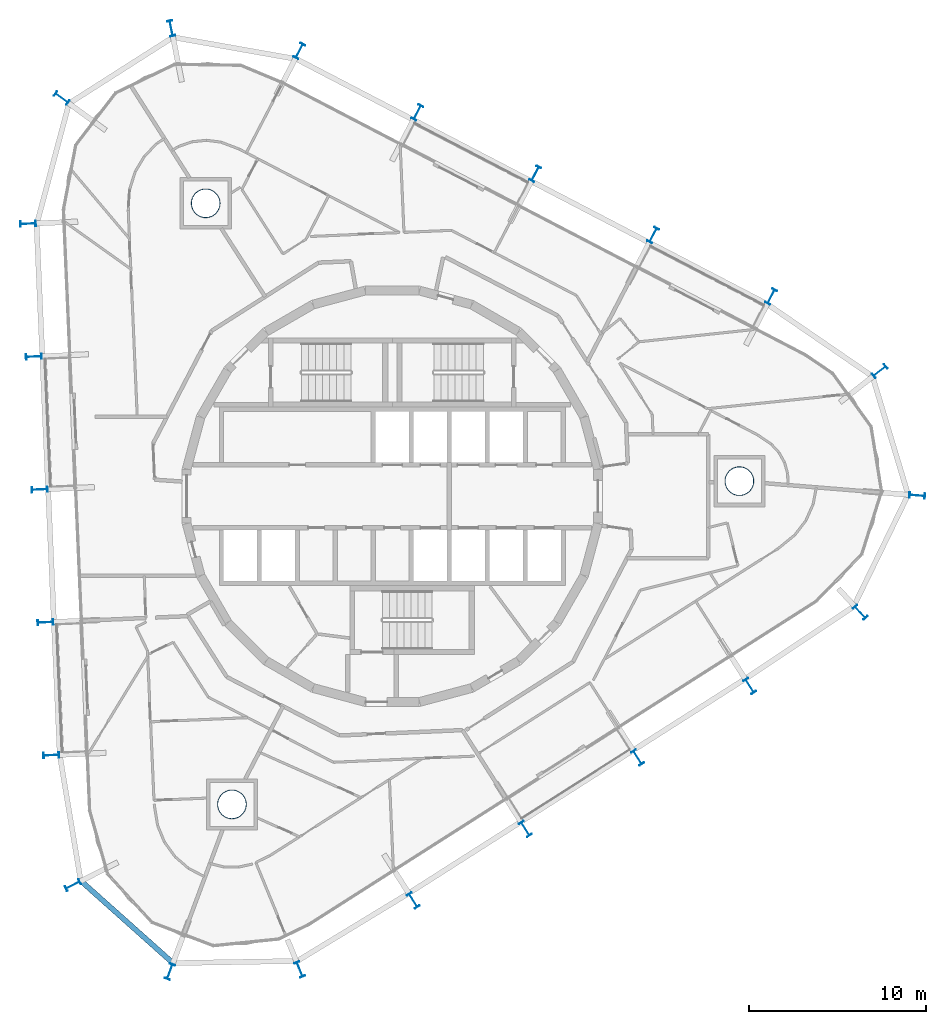
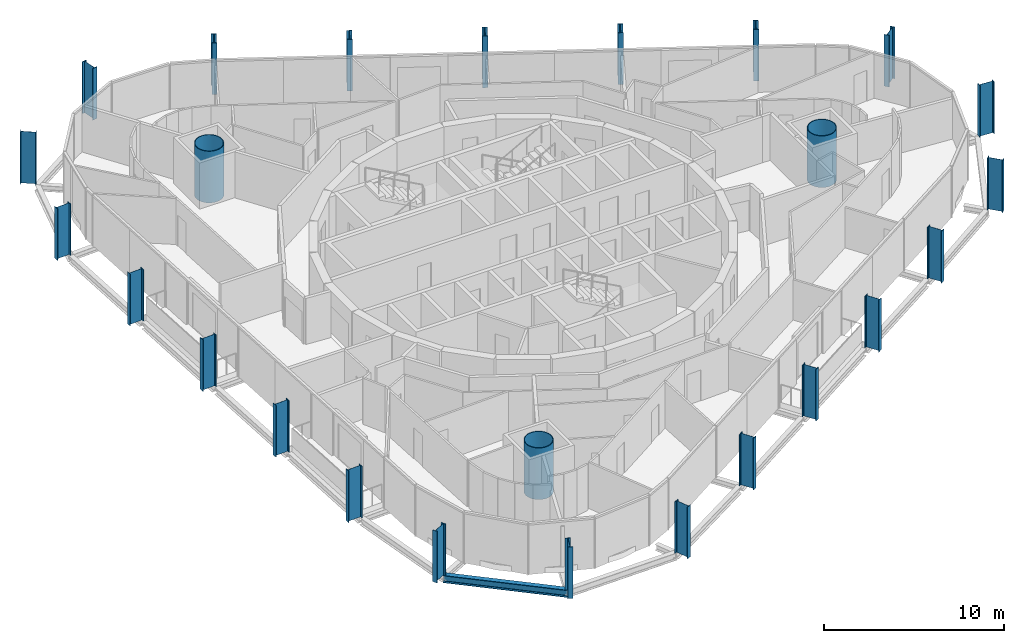
# One storey, part 1 of 18: 25 columns, 1 beam.
"""IFC4 building model written with IfcOpenShell, lengths in metres."""

import ifcopenshell
import ifcopenshell.guid

model = None  # the IFC model being written
_history = None  # IfcOwnerHistory: only IFC2X3 demands one
_inside = {}  # id of a spatial element -> (the spatial element, [elements in it])
_under = {}  # id of a project, library or spatial element -> (it, [spatial elements below it])
_declared = {}  # id of a project -> (the project, [libraries it declares])
_typed = {}  # id of a type object -> (the type object, [elements of that type])
_made_of = {}  # id of a material, layer set ... -> (it, [elements and type objects made of it])


def new_model(schema):
    """Start an empty IFC model of exactly this schema.

    Asked for "IFC4X3", IfcOpenShell would pick the latest addendum, in which some entities
    have other attributes; the version numbers below select the first issue.
    IFC2X3 requires an IfcOwnerHistory on every rooted entity: one is made here for all.
    """
    global model, _history
    if schema == "IFC4X3":
        model = ifcopenshell.file(schema_version=(4, 3, 0, 0))
    else:
        model = ifcopenshell.file(schema=schema)
    _inside.clear()
    _under.clear()
    _declared.clear()
    _typed.clear()
    _made_of.clear()
    _history = None
    if model.schema == "IFC2X3":
        org = make("IfcOrganization", Name="unknown")
        user = make(
            "IfcPersonAndOrganization",
            ThePerson=make("IfcPerson", FamilyName="unknown"),
            TheOrganization=org,
        )
        app = make(
            "IfcApplication",
            ApplicationDeveloper=org,
            Version="unknown",
            ApplicationFullName="unknown",
            ApplicationIdentifier="unknown",
        )
        _history = make(
            "IfcOwnerHistory",
            OwningUser=user,
            OwningApplication=app,
            ChangeAction="ADDED",
            CreationDate=0,
        )
    return model


def make(cls, **values):
    """One entity of the class cls with the attributes given. An attribute that is None is left unset."""
    return model.create_entity(
        cls, **{name: value for name, value in values.items() if value is not None}
    )


def rooted(cls, **values):
    """An entity with a GlobalId (a new one), such as an element, a storey or a relation."""
    return make(cls, GlobalId=ifcopenshell.guid.new(), OwnerHistory=_history, **values)


def si_unit(unit_type, name, prefix=None):
    """IfcSIUnit, for example si_unit("LENGTHUNIT", "METRE", prefix="MILLI")."""
    return make("IfcSIUnit", UnitType=unit_type, Prefix=prefix, Name=name)


def assignment(units):
    """IfcUnitAssignment: the units of a project."""
    return None if units is None else make("IfcUnitAssignment", Units=units)


def point(xyz):
    """IfcCartesianPoint."""
    return None if xyz is None else make("IfcCartesianPoint", Coordinates=xyz)


def direction(xyz):
    """IfcDirection."""
    return None if xyz is None else make("IfcDirection", DirectionRatios=xyz)


def frame(location, z_axis=None, x_axis=None):
    """IfcAxis2Placement3D, a coordinate frame: its origin and axes. An axis left out is left unset."""
    return make(
        "IfcAxis2Placement3D",
        Location=point(location),
        Axis=direction(z_axis),
        RefDirection=direction(x_axis),
    )


def frame_2d(location, x_axis=None):
    """IfcAxis2Placement2D, a coordinate frame in the plane: its origin and x axis."""
    return make(
        "IfcAxis2Placement2D", Location=point(location), RefDirection=direction(x_axis)
    )


def origin():
    """The frame at (0, 0, 0) with its axes left unset."""
    return frame((0.0, 0.0, 0.0))


def origin_2d():
    """The frame at (0, 0) in the plane with its x axis left unset."""
    return frame_2d((0.0, 0.0))


def place(relative_to, where):
    """IfcLocalPlacement: puts the frame where relative to a parent placement (None: the world)."""
    return make(
        "IfcLocalPlacement", PlacementRelTo=relative_to, RelativePlacement=where
    )


def context(
    kind, dimensions, precision=None, world=None, true_north=None, identifier=None
):
    """IfcGeometricRepresentationContext, for example the 3D "Model" context."""
    return make(
        "IfcGeometricRepresentationContext",
        ContextIdentifier=identifier,
        ContextType=kind,
        CoordinateSpaceDimension=dimensions,
        Precision=precision,
        WorldCoordinateSystem=world,
        TrueNorth=true_north,
    )


def subcontext(parent, identifier, kind, view, scale=None):
    """IfcGeometricRepresentationSubContext, for example "Body" below "Model"."""
    return make(
        "IfcGeometricRepresentationSubContext",
        ContextIdentifier=identifier,
        ContextType=kind,
        ParentContext=parent,
        TargetScale=scale,
        TargetView=view,
    )


def project(units=None, contexts=None):
    """IfcProject with its units and contexts."""
    return rooted(
        "IfcProject",
        Name="project",
        RepresentationContexts=contexts,
        UnitsInContext=assignment(units),
    )


def spatial(cls, under=None, at=None, **own):
    """A site, building, storey or space (cls), placed at a placement, below another one or the project."""
    s = rooted(cls, ObjectPlacement=at, **own)
    if under is not None:
        _under.setdefault(under.id(), (under, []))[1].append(s)
    return s


def profile(cls, at=None, kind="AREA", **sizes):
    """A parametric profile (cls). Its sizes go by their IFC names, for example OverallWidth=200.0."""
    return make(cls, ProfileType=kind, Position=at, **sizes)


def hollow_circle(**sizes):
    """IfcCircleHollowProfileDef."""
    return profile("IfcCircleHollowProfileDef", **sizes)


def i_section(**sizes):
    """IfcIShapeProfileDef."""
    return profile("IfcIShapeProfileDef", **sizes)


def extrude(swept, where, along, depth):
    """IfcExtrudedAreaSolid: the profile swept, set in the frame where, extruded along a direction by depth."""
    return make(
        "IfcExtrudedAreaSolid",
        SweptArea=swept,
        Position=where,
        ExtrudedDirection=direction(along),
        Depth=depth,
    )


def shape(context_of_items, identifier, shape_type, items):
    """IfcShapeRepresentation: the items that make up one representation, for example the "Body"."""
    return make(
        "IfcShapeRepresentation",
        ContextOfItems=context_of_items,
        RepresentationIdentifier=identifier,
        RepresentationType=shape_type,
        Items=items,
    )


def material(Name=None, Category=None):
    """IfcMaterial."""
    return make("IfcMaterial", Name=Name, Category=Category)


def material_profile(
    of_material, cross_section, Name=None, Category=None, Priority=None
):
    """IfcMaterialProfile: a cross section and its material."""
    return make(
        "IfcMaterialProfile",
        Name=Name,
        Material=of_material,
        Profile=cross_section,
        Priority=Priority,
        Category=Category,
    )


def profile_set(profiles, Name=None, composite=None):
    """IfcMaterialProfileSet."""
    return make(
        "IfcMaterialProfileSet",
        Name=Name,
        MaterialProfiles=profiles,
        CompositeProfile=composite,
    )


def made_of(thing, what):
    """Note that an element or type object is made of a material, layer set ...; save() writes the relation."""
    if what is not None:
        _made_of.setdefault(what.id(), (what, []))[1].append(thing)
    return thing


def type_object(cls, material=None, **own):
    """A type object (cls), such as IfcWallType, which elements share."""
    return made_of(rooted(cls, **own), material)


def element(
    cls,
    number,
    at=None,
    inside=None,
    cuts=None,
    type_object=None,
    material=None,
    context=None,
    identifier="Body",
    shape_type=None,
    held_by="IfcProductDefinitionShape",
    body=None,
    shapes=None,
    **own,
):
    """One element of the class cls, such as IfcWall. Its Tag is "e" and its number.

    at: its placement. inside: the storey or other place that contains it. cuts: it is an
    opening in that element (IfcRelVoidsElement). A single representation is given by context,
    identifier, shape_type and body (its items); several are given by shapes. held_by: the class
    of the entity that holds the representations. save() writes the other relations.
    """
    e = rooted(cls, Tag="e%d" % number, ObjectPlacement=at, **own)
    if body is not None:
        shapes = [shape(context, identifier, shape_type, body)]
    if shapes is not None:
        e.Representation = make(held_by, Representations=shapes)
    if inside is not None:
        _inside.setdefault(inside.id(), (inside, []))[1].append(e)
    if cuts is not None:
        rooted(
            "IfcRelVoidsElement", RelatingBuildingElement=cuts, RelatedOpeningElement=e
        )
    if type_object is not None:
        _typed.setdefault(type_object.id(), (type_object, []))[1].append(e)
    return made_of(e, material)


def aggregate(whole, parts):
    """IfcRelAggregates: a whole, such as a stair, and the parts it consists of."""
    return rooted("IfcRelAggregates", RelatingObject=whole, RelatedObjects=parts)


def save(model, path):
    """Write the relations noted so far, then the file.

    IfcRelAggregates (storeys below a building ...), IfcRelContainedInSpatialStructure (elements
    in a storey), IfcRelDefinesByType, IfcRelAssociatesMaterial and IfcRelDeclares: one each for
    every whole, place, type object, material and project.
    """
    for whole, parts in _under.values():
        aggregate(whole, parts)
    for where, things in _inside.values():
        rooted(
            "IfcRelContainedInSpatialStructure",
            RelatedElements=things,
            RelatingStructure=where,
        )
    for kind, things in _typed.values():
        rooted("IfcRelDefinesByType", RelatedObjects=things, RelatingType=kind)
    for what, things in _made_of.values():
        rooted("IfcRelAssociatesMaterial", RelatedObjects=things, RelatingMaterial=what)
    for by, libraries in _declared.values():
        rooted("IfcRelDeclares", RelatingContext=by, RelatedDefinitions=libraries)
    model.write(path)


model = new_model("IFC4")

# Units and contexts
model_context = context("Model", 3, precision=1e-05, world=origin(), true_north=direction((0.0, 1.0)))
body_context = subcontext(model_context, "Body", "Model", "MODEL_VIEW")
ifc_project = project(units=[si_unit("LENGTHUNIT", "METRE"), si_unit("AREAUNIT", "SQUARE_METRE"), si_unit("VOLUMEUNIT", "CUBIC_METRE"), si_unit("PLANEANGLEUNIT", "RADIAN"), si_unit("MASSUNIT", "GRAM", prefix="KILO")], contexts=[model_context])

# Site, building, storey
site_placement = place(None, origin())
site = spatial("IfcSite", under=ifc_project, at=site_placement, CompositionType="ELEMENT")
building_placement = place(site_placement, origin())
building = spatial("IfcBuilding", under=site, at=building_placement, Name="Spindle Arch Residences", CompositionType="ELEMENT")
storey_placement = place(building_placement, frame((0.0, 0.0, 251.199951171875)))
storey = spatial("IfcBuildingStorey", under=building, at=storey_placement, Name="L64", CompositionType="ELEMENT", Elevation=251.199951171875)

# Columns
ifc_material_1 = material(Name="Steel S460ML, intumescent coating R 240", Category="steel")
ifc_material_profile_1 = material_profile(ifc_material_1, i_section(OverallWidth=0.300048828125, OverallDepth=0.89990234375, WebThickness=0.0185546875, FlangeThickness=0.034912109375, FilletRadius=0.030029296875, at=origin_2d()), Name="HEB 900")
ifc_profile_set_1 = profile_set([ifc_material_profile_1], Name="Steel S460ML, intumescent coating R 240")
column_type_1 = type_object("IfcColumnType", Name="Exoskeleton post HEB 900", PredefinedType="COLUMN", material=ifc_profile_set_1)
for number, where, z_axis, x_axis, name in (
    (1, (13.885986328125, -14.78955078125, -0.3798828125), (0.0, 0.0, 1.0), (-0.843391139633, -0.537300088953, 0.0), "Exoskeleton post 1"),
    (2, (20.23681640625, -10.74365234375, -0.3798828125), (0.0, 0.0, 1.0), (-0.843391139633, -0.537300088953, 0.0), "Exoskeleton post 2"),
    (3, (26.49462890625, -6.569091796875, -0.3798828125), (0.0, 0.0, 1.0), (-0.735346889002, -0.677690897707, 0.0), "Exoskeleton post 3"),
    (4, (29.71728515625, 0.04443359375, -0.3798828125), (0.0, 0.0, 1.0), (-0.080537962999, -0.996751542018, 0.0), "Exoskeleton post 4"),
    (5, (27.598388671875, 7.089599609375, -0.3798828125), (0.0, 0.0, 1.0), (0.617001797175, -0.786961741308, 0.0), "Exoskeleton post 5"),
    (6, (21.449951171875, 11.3076171875, -0.3798828125), (0.0, 0.0, 1.0), (0.887010710334, -0.461748849216, 0.0), "Exoskeleton post 6"),
    (7, (14.770751953125, 14.784423828125, -0.3798828125), (0.0, 0.0, 1.0), (0.887010710334, -0.461748849216, 0.0), "Exoskeleton post 7"),
    (8, (8.09130859375, 18.261474609375, -0.3798828125), (0.0, 0.0, 1.0), (0.887010710334, -0.461748849216, 0.0), "Exoskeleton post 8"),
    (9, (1.412109375, 21.738525390625, -0.3798828125), (0.0, 0.0, 1.0), (0.887010710334, -0.461748849216, 0.0), "Exoskeleton post 9"),
    (10, (-5.26708984375, 25.215576171875, -0.3798828125), (0.0, 0.0, 1.0), (0.887010710334, -0.461748849216, 0.0), "Exoskeleton post 10"),
    (11, (-12.51953125, 26.498046875, -0.3798828125), (0.0, 0.0, 1.0), (0.981152901053, 0.193232980505, 0.0), "Exoskeleton post 11"),
    (12, (-18.724365234375, 22.545166015625, -0.3798828125), (0.0, 0.0, 1.0), (0.589781110017, 0.807563150637, 0.0), "Exoskeleton post 12"),
    (13, (-20.626953125, 15.43017578125, -0.3798828125), (0.0, 0.0, 1.0), (-0.043619010384, 0.999048238041, 0.0), "Exoskeleton post 13"),
    (14, (-20.298583984375, 7.9072265625, -0.3798828125), (0.0, 0.0, 1.0), (-0.043619010384, 0.999048238041, 0.0), "Exoskeleton post 14"),
    (15, (-19.97021484375, 0.38427734375, -0.3798828125), (0.0, 0.0, 1.0), (-0.043619010384, 0.999048238041, 0.0), "Exoskeleton post 15"),
    (16, (-19.6416015625, -7.138671875, -0.3798828125), (0.0, 0.0, 1.0), (-0.043619010384, 0.999048238041, 0.0), "Exoskeleton post 16"),
    (17, (-19.313232421875, -14.66162109375, -0.3798828125), (0.0, 0.0, 1.0), (-0.043619010384, 0.999048238041, 0.0), "Exoskeleton post 17"),
    (18, (-18.089111328125, -22.016357421875, -0.3798828125), (0.0, 0.0, 1.0), (-0.452473836659, 0.89177767809, 0.0), "Exoskeleton post 18"),
    (19, (-12.599365234375, -26.9140625, -0.3798828125), (0.0, 0.0, 1.0), (-0.937400631219, 0.348252863002, 0.0), "Exoskeleton post 19"),
    (20, (-5.243408203125, -26.78857421875, -0.3798828125), (0.0, 0.0, 1.0), (-0.924967647063, -0.380045854978, 0.0), "Exoskeleton post 20"),
    (21, (1.1845703125, -22.88134765625, -0.3798828125), (0.0, 0.0, 1.0), (-0.843391139633, -0.537300088953, 0.0), "Exoskeleton post 21"),
    (22, (7.535400390625, -18.83544921875, -0.3798828125), (0.0, 0.0, 1.0), (-0.843391139633, -0.537300088953, 0.0), "Exoskeleton post 22"),
):
    element("IfcColumn", number, at=place(storey_placement, frame(where, z_axis=z_axis, x_axis=x_axis)), inside=storey, type_object=column_type_1, Name=name, PredefinedType="COLUMN", context=body_context, shape_type="SweptSolid", body=[
        extrude(i_section(OverallWidth=0.300048828125, OverallDepth=0.89990234375, WebThickness=0.0185546875, FlangeThickness=0.034912109375, FilletRadius=0.030029296875, at=origin_2d()), origin(), (0.0, 0.0, 1.0), 3.5),
    ])
ifc_material_2 = material(Name="Concrete C50/60 filled steel tube S460ML, intumescent coating R 240", Category="concrete")
ifc_material_profile_2 = material_profile(ifc_material_2, hollow_circle(Radius=0.824951171875, WallThickness=0.0400390625, at=origin_2d()), Name="CFT D1650x40")
ifc_profile_set_2 = profile_set([ifc_material_profile_2], Name="Concrete C50/60 filled steel tube S460ML, intumescent coating R 240")
column_type_2 = type_object("IfcColumnType", Name="Mega-column CFT D1650x40", PredefinedType="COLUMN", material=ifc_profile_set_2)
for number, where, z_axis, x_axis, name in (
    (23, (19.64990234375, 0.85791015625, -0.3798828125), (0.0, 0.0, 1.0), (1.0, 0.0, 0.0), "Mega-column 1"),
    (24, (-10.568115234375, 16.58837890625, -0.3798828125), (0.0, 0.0, 1.0), (1.0, 0.0, 0.0), "Mega-column 2"),
    (25, (-9.08203125, -17.4462890625, -0.3798828125), (0.0, 0.0, 1.0), (1.0, 0.0, 0.0), "Mega-column 3"),
):
    element("IfcColumn", number, at=place(storey_placement, frame(where, z_axis=z_axis, x_axis=x_axis)), inside=storey, type_object=column_type_2, Name=name, PredefinedType="COLUMN", context=body_context, shape_type="SweptSolid", body=[
        extrude(hollow_circle(Radius=0.824951171875, WallThickness=0.0400390625, at=origin_2d()), origin(), (0.0, 0.0, 1.0), 3.5),
    ])

# Beam
ifc_material_3 = material(Name="Steel S460ML, intumescent coating R 120", Category="steel")
ifc_material_profile_3 = material_profile(ifc_material_3, i_section(OverallWidth=0.300048828125, OverallDepth=0.5, WebThickness=0.014404296875, FlangeThickness=0.028076171875, FilletRadius=0.027099609375, at=origin_2d()), Name="HEB 500")
ifc_profile_set_3 = profile_set([ifc_material_profile_3], Name="Steel S460ML, intumescent coating R 120")
beam_type = type_object("IfcBeamType", Name="Exoskeleton edge beam HEB 500", PredefinedType="BEAM", material=ifc_profile_set_3)
beam_placement = place(storey_placement, frame((-17.67236328125, -21.74462890625, -0.6298828125), z_axis=(0.746176267139, -0.66574843474, 0.0), x_axis=(0.66574843474, 0.746176267139, 0.0)))
element("IfcBeam", 26, at=beam_placement, inside=storey, type_object=beam_type, Name="Exoskeleton edge beam 18", PredefinedType="BEAM", context=body_context, shape_type="SweptSolid", body=[
    extrude(i_section(OverallWidth=0.300048828125, OverallDepth=0.5, WebThickness=0.014404296875, FlangeThickness=0.028076171875, FilletRadius=0.027099609375, at=origin_2d()), origin(), (0.0, 0.0, 1.0), 7.09716796875),
])

save(model, "model.ifc")
